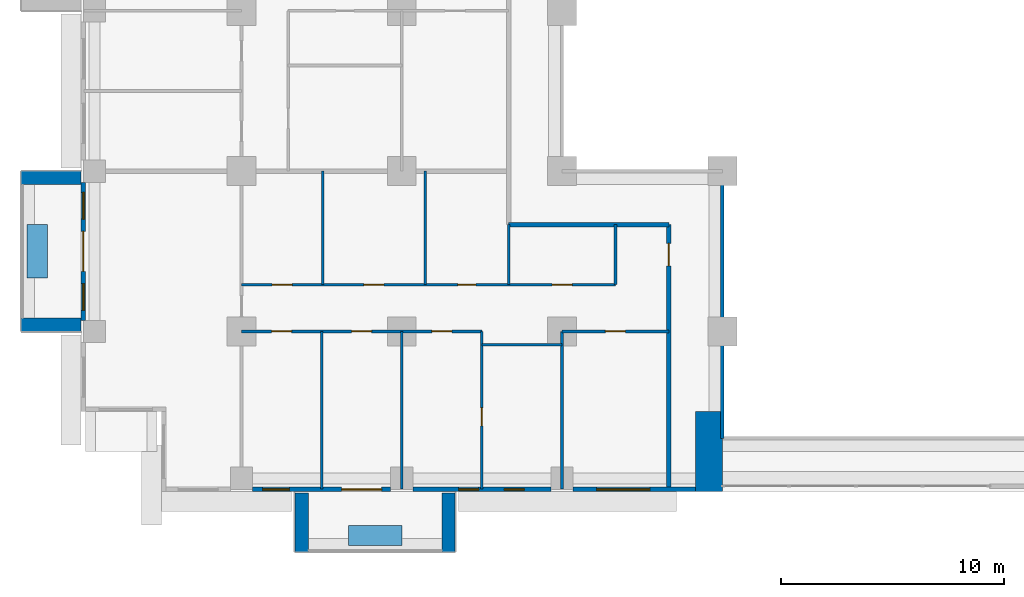
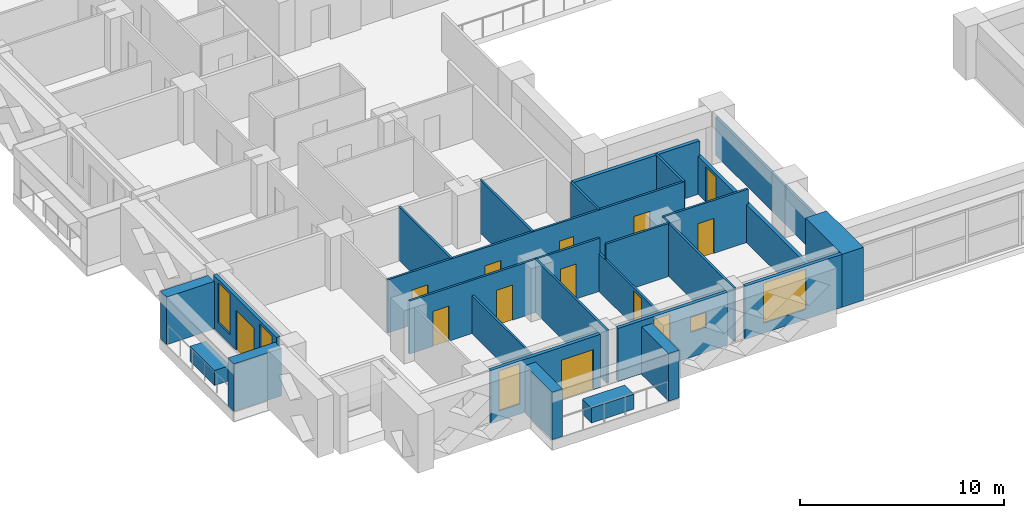
# One storey, part 6 of 16: 26 walls, 12 doors, 6 windows, 18 openings.
"""IFC4 building model written with IfcOpenShell, lengths in metres."""

from ifc_helpers import new_model, si_unit, direction, frame, frame_2d, origin, place, context, subcontext, project, spatial, rectangle, extrude, material, layer, layer_set, type_object, element, fill, save


model = new_model("IFC4")

# Units and contexts
model_context = context("Model", 3, precision=1e-05, world=origin(), true_north=direction((0.0, 1.0)))
body_context = subcontext(model_context, "Body", "Model", "MODEL_VIEW")
ifc_project = project(units=[si_unit("LENGTHUNIT", "METRE"), si_unit("AREAUNIT", "SQUARE_METRE"), si_unit("VOLUMEUNIT", "CUBIC_METRE"), si_unit("PLANEANGLEUNIT", "RADIAN"), si_unit("MASSUNIT", "GRAM", prefix="KILO")], contexts=[model_context])

# Site, building, storey
site_placement = place(None, origin())
site = spatial("IfcSite", under=ifc_project, at=site_placement, CompositionType="ELEMENT")
building_placement = place(site_placement, origin())
building = spatial("IfcBuilding", under=site, at=building_placement, Name="Saffron Iwan Residences", CompositionType="ELEMENT")
storey_placement = place(building_placement, frame((0.0, 0.0, 69.0)))
storey = spatial("IfcBuildingStorey", under=building, at=storey_placement, Name="L17", CompositionType="ELEMENT", Elevation=69.0)

# Walls
ifc_material_1 = material(Name="Fire-rated glazing", Category="glass")
ifc_layer_1 = layer(ifc_material_1, 0.14990234375)
ifc_layer_set_1 = layer_set([ifc_layer_1], Name="Fire-rated glazing")
wall_type_1 = type_object("IfcWallType", Name="Atrium glazed screen 150", PredefinedType="SOLIDWALL", material=ifc_layer_set_1)
wall_1_placement = place(storey_placement, frame((43.199951171875, 36.0, 0.0), z_axis=(0.0, 0.0, 1.0), x_axis=(0.0, 1.0, 0.0)))
element("IfcWall", 1, at=wall_1_placement, inside=storey, type_object=wall_type_1, Name="W-L17-SCREEN-v43.2-36", PredefinedType="SOLIDWALL", context=body_context, shape_type="SweptSolid", body=[
    extrude(rectangle(XDim=12.0, YDim=0.14990234375, at=frame_2d((6.0, 0.0))), origin(), (0.0, 0.0, 1.0), 2.280029296875),
])
ifc_material_2 = material(Name="Concrete C50/60 white painted", Category="concrete")
ifc_layer_2 = layer(ifc_material_2, 0.60009765625)
ifc_layer_set_2 = layer_set([ifc_layer_2], Name="Concrete C50/60 white painted")
wall_type_2 = type_object("IfcWallType", Name="BALCONY FIN 600", PredefinedType="SOLIDWALL", material=ifc_layer_set_2)
for number, where, z_axis, x_axis, name in (
    (2, (14.39990234375, 47.699951171875, 0.0), (0.0, 0.0, 1.0), (-1.0, 0.0, 0.0), "Balcony fin L17 F8-1a"),
    (3, (14.39990234375, 41.10009765625, 0.0), (0.0, 0.0, 1.0), (-1.0, 0.0, 0.0), "Balcony fin L17 F8-1b"),
):
    element("IfcWall", number, at=place(storey_placement, frame(where, z_axis=z_axis, x_axis=x_axis)), inside=storey, type_object=wall_type_2, Name=name, PredefinedType="SOLIDWALL", context=body_context, shape_type="SweptSolid", body=[
        extrude(rectangle(XDim=2.699951171875, YDim=0.60009765625, at=frame_2d((1.35009765625, 0.0))), origin(), (0.0, 0.0, 1.0), 2.85009765625),
    ])
for number, where, z_axis, x_axis, name in (
    (4, (24.300048828125, 33.550048828125, 0.0), (0.0, 0.0, 1.0), (0.0, -1.0, 0.0), "Balcony fin L17 11-0a"),
    (5, (30.89990234375, 33.550048828125, 0.0), (0.0, 0.0, 1.0), (0.0, -1.0, 0.0), "Balcony fin L17 11-0b"),
):
    element("IfcWall", number, at=place(storey_placement, frame(where, z_axis=z_axis, x_axis=x_axis)), inside=storey, type_object=wall_type_2, Name=name, PredefinedType="SOLIDWALL", context=body_context, shape_type="SweptSolid", body=[
        extrude(rectangle(XDim=2.650146484375, YDim=0.60009765625, at=frame_2d((1.3251953125, 0.0))), origin(), (0.0, 0.0, 1.0), 2.85009765625),
    ])
ifc_material_3 = material(Name="Concrete C35/45 white painted", Category="concrete")
ifc_layer_3 = layer(ifc_material_3, 0.14990234375)
ifc_layer_set_3 = layer_set([ifc_layer_3], Name="Concrete C35/45 white painted")
wall_type_3 = type_object("IfcWallType", Name="BALCONY PLANTER", PredefinedType="SOLIDWALL", material=ifc_layer_set_3)
for number, where, z_axis, x_axis, name in (
    (6, (12.425048828125, 45.60009765625, 0.0), (0.0, 0.0, 1.0), (0.0, -1.0, 0.0), "PLANTER L17 F8-1"),
    (7, (26.39990234375, 31.625, 0.0), (0.0, 0.0, 1.0), (1.0, 0.0, 0.0), "PLANTER L17 11-0"),
):
    element("IfcWall", number, at=place(storey_placement, frame(where, z_axis=z_axis, x_axis=x_axis)), inside=storey, type_object=wall_type_3, Name=name, PredefinedType="SOLIDWALL", context=body_context, shape_type="SweptSolid", body=[
        extrude(rectangle(XDim=2.400146484375, YDim=0.89990234375, at=frame_2d((1.2001953125, 0.0))), origin(), (0.0, 0.0, 1.0), 0.89990234375),
    ])

# Wall, openings, door, windows
ifc_material_4 = material(Name="Concrete C40/50", Category="concrete")
ifc_layer_4 = layer(ifc_material_4, 0.199951171875)
ifc_layer_set_4 = layer_set([ifc_layer_4], Name="Concrete C40/50")
wall_type_4 = type_object("IfcWallType", Name="EXTERNAL WALL 200", PredefinedType="SOLIDWALL", material=ifc_layer_set_4)
wall_2_placement = place(storey_placement, frame((14.5, 47.5, 0.0), z_axis=(0.0, 0.0, 1.0), x_axis=(0.0, -1.0, 0.0)))
wall_2 = element("IfcWall", 8, at=wall_2_placement, inside=storey, type_object=wall_type_4, Name="External wall L17 F8.4", PredefinedType="SOLIDWALL", context=body_context, shape_type="SweptSolid", body=[
    extrude(rectangle(XDim=6.199951171875, YDim=0.199951171875, at=frame_2d((3.10009765625, 0.0))), origin(), (0.0, 0.0, 1.0), 3.179931640625),
])
opening_1_placement = place(wall_2_placement, frame((2.199951171875, 0.0, 0.0)))
opening_1 = element("IfcOpeningElement", 9, at=opening_1_placement, cuts=wall_2, Name="Opening BD1", PredefinedType="OPENING", context=body_context, shape_type="SweptSolid", body=[
    extrude(rectangle(XDim=1.800048828125, YDim=2.39990234375, at=frame_2d((0.89990234375, 1.199951171875))), frame((0.0, 0.10986328125, 0.0), z_axis=(0.0, -1.0, 0.0), x_axis=(1.0, 0.0, 0.0)), (0.0, 0.0, 1.0), 0.219970703125),
])
opening_2_placement = place(wall_2_placement, frame((0.449951171875, 0.0, 0.60009765625)))
opening_2 = element("IfcOpeningElement", 10, at=opening_2_placement, cuts=wall_2, Name="Opening W3", PredefinedType="OPENING", context=body_context, shape_type="SweptSolid", body=[
    extrude(rectangle(XDim=1.199951171875, YDim=2.39990234375, at=frame_2d((0.60009765625, 1.199951171875))), frame((0.0, 0.10986328125, 0.0), z_axis=(0.0, -1.0, 0.0), x_axis=(1.0, 0.0, 0.0)), (0.0, 0.0, 1.0), 0.219970703125),
])
opening_3_placement = place(wall_2_placement, frame((4.550048828125, 0.0, 0.60009765625)))
opening_3 = element("IfcOpeningElement", 11, at=opening_3_placement, cuts=wall_2, Name="Opening W3", PredefinedType="OPENING", context=body_context, shape_type="SweptSolid", body=[
    extrude(rectangle(XDim=1.199951171875, YDim=2.39990234375, at=frame_2d((0.60009765625, 1.199951171875))), frame((0.0, 0.10986328125, 0.0), z_axis=(0.0, -1.0, 0.0), x_axis=(1.0, 0.0, 0.0)), (0.0, 0.0, 1.0), 0.219970703125),
])
ifc_material_5 = material(Name="Clear glass, laminated double glazed", Category="glass")
door_type_1 = type_object("IfcDoorType", Name="BALCONY DOOR 1800 x 2400", OperationType="DOUBLE_DOOR_SLIDING", PredefinedType="DOOR", material=ifc_material_5)
door_1_placement = place(opening_1_placement, origin())
door_1 = element("IfcDoor", 12, at=door_1_placement, inside=storey, type_object=door_type_1, Name="Balcony door L17 F8.0", OperationType="DOUBLE_DOOR_SLIDING", OverallHeight=2.39990234375, OverallWidth=1.800048828125, PredefinedType="DOOR", context=body_context, shape_type="SweptSolid", body=[
    extrude(rectangle(XDim=1.800048828125, YDim=2.39990234375, at=frame_2d((0.89990234375, 1.199951171875))), frame((0.0, 0.02490234375, 0.0), z_axis=(0.0, -1.0, 0.0), x_axis=(1.0, 0.0, 0.0)), (0.0, 0.0, 1.0), 0.050048828125),
])
fill(opening_1, door_1)
window_type_1 = type_object("IfcWindowType", Name="WINDOW 1200 x 2400", PartitioningType="SINGLE_PANEL", PredefinedType="WINDOW", material=ifc_material_5)
window_1_placement = place(opening_2_placement, origin())
window_1 = element("IfcWindow", 13, at=window_1_placement, inside=storey, type_object=window_type_1, Name="Window L17 F8.1", OverallHeight=2.39990234375, OverallWidth=1.199951171875, PartitioningType="SINGLE_PANEL", PredefinedType="WINDOW", context=body_context, shape_type="SweptSolid", body=[
    extrude(rectangle(XDim=1.199951171875, YDim=2.39990234375, at=frame_2d((0.60009765625, 1.199951171875))), frame((0.0, 0.030029296875, 0.0), z_axis=(0.0, -1.0, 0.0), x_axis=(1.0, 0.0, 0.0)), (0.0, 0.0, 1.0), 0.06005859375),
])
fill(opening_2, window_1)
window_2_placement = place(opening_3_placement, origin())
window_2 = element("IfcWindow", 14, at=window_2_placement, inside=storey, type_object=window_type_1, Name="Window L17 F8.2", OverallHeight=2.39990234375, OverallWidth=1.199951171875, PartitioningType="SINGLE_PANEL", PredefinedType="WINDOW", context=body_context, shape_type="SweptSolid", body=[
    extrude(rectangle(XDim=1.199951171875, YDim=2.39990234375, at=frame_2d((0.60009765625, 1.199951171875))), frame((0.0, 0.030029296875, 0.0), z_axis=(0.0, -1.0, 0.0), x_axis=(1.0, 0.0, 0.0)), (0.0, 0.0, 1.0), 0.06005859375),
])
fill(opening_3, window_2)

# Wall, openings, door, window
wall_3_placement = place(storey_placement, frame((22.10009765625, 33.699951171875, 0.0), z_axis=(0.0, 0.0, 1.0), x_axis=(1.0, 0.0, 0.0)))
wall_3 = element("IfcWall", 15, at=wall_3_placement, inside=storey, type_object=wall_type_4, Name="External wall L17 F11.1", PredefinedType="SOLIDWALL", context=body_context, shape_type="SweptSolid", body=[
    extrude(rectangle(XDim=6.199951171875, YDim=0.199951171875, at=frame_2d((3.10009765625, 0.0))), origin(), (0.0, 0.0, 1.0), 3.179931640625),
])
opening_4_placement = place(wall_3_placement, frame((4.0, 0.0, 0.0)))
opening_4 = element("IfcOpeningElement", 16, at=opening_4_placement, cuts=wall_3, Name="Opening BD1", PredefinedType="OPENING", context=body_context, shape_type="SweptSolid", body=[
    extrude(rectangle(XDim=1.800048828125, YDim=2.39990234375, at=frame_2d((0.89990234375, 1.199951171875))), frame((0.0, 0.10986328125, 0.0), z_axis=(0.0, -1.0, 0.0), x_axis=(1.0, 0.0, 0.0)), (0.0, 0.0, 1.0), 0.219970703125),
])
opening_5_placement = place(wall_3_placement, frame((0.449951171875, 0.0, 0.60009765625)))
opening_5 = element("IfcOpeningElement", 17, at=opening_5_placement, cuts=wall_3, Name="Opening W3", PredefinedType="OPENING", context=body_context, shape_type="SweptSolid", body=[
    extrude(rectangle(XDim=1.199951171875, YDim=2.39990234375, at=frame_2d((0.60009765625, 1.199951171875))), frame((0.0, 0.10986328125, 0.0), z_axis=(0.0, -1.0, 0.0), x_axis=(1.0, 0.0, 0.0)), (0.0, 0.0, 1.0), 0.219970703125),
])
door_2_placement = place(opening_4_placement, origin())
door_2 = element("IfcDoor", 18, at=door_2_placement, inside=storey, type_object=door_type_1, Name="Balcony door L17 F11.0", OperationType="DOUBLE_DOOR_SLIDING", OverallHeight=2.39990234375, OverallWidth=1.800048828125, PredefinedType="DOOR", context=body_context, shape_type="SweptSolid", body=[
    extrude(rectangle(XDim=1.800048828125, YDim=2.39990234375, at=frame_2d((0.89990234375, 1.199951171875))), frame((0.0, 0.02490234375, 0.0), z_axis=(0.0, -1.0, 0.0), x_axis=(1.0, 0.0, 0.0)), (0.0, 0.0, 1.0), 0.050048828125),
])
fill(opening_4, door_2)
window_3_placement = place(opening_5_placement, origin())
window_3 = element("IfcWindow", 19, at=window_3_placement, inside=storey, type_object=window_type_1, Name="Window L17 F11.1", OverallHeight=2.39990234375, OverallWidth=1.199951171875, PartitioningType="SINGLE_PANEL", PredefinedType="WINDOW", context=body_context, shape_type="SweptSolid", body=[
    extrude(rectangle(XDim=1.199951171875, YDim=2.39990234375, at=frame_2d((0.60009765625, 1.199951171875))), frame((0.0, 0.030029296875, 0.0), z_axis=(0.0, -1.0, 0.0), x_axis=(1.0, 0.0, 0.0)), (0.0, 0.0, 1.0), 0.06005859375),
])
fill(opening_5, window_3)

# Wall, openings, windows
wall_4_placement = place(storey_placement, frame((29.300048828125, 33.699951171875, 0.0), z_axis=(0.0, 0.0, 1.0), x_axis=(1.0, 0.0, 0.0)))
wall_4 = element("IfcWall", 20, at=wall_4_placement, inside=storey, type_object=wall_type_4, Name="External wall L17 F11.2", PredefinedType="SOLIDWALL", context=body_context, shape_type="SweptSolid", body=[
    extrude(rectangle(XDim=6.199951171875, YDim=0.199951171875, at=frame_2d((3.10009765625, 0.0))), origin(), (0.0, 0.0, 1.0), 3.179931640625),
])
opening_6_placement = place(wall_4_placement, frame((2.050048828125, 0.0, 0.60009765625)))
opening_6 = element("IfcOpeningElement", 21, at=opening_6_placement, cuts=wall_4, Name="Opening W10", PredefinedType="OPENING", context=body_context, shape_type="SweptSolid", body=[
    extrude(rectangle(XDim=0.89990234375, YDim=2.39990234375, at=frame_2d((0.449951171875, 1.199951171875))), frame((0.0, 0.10986328125, 0.0), z_axis=(0.0, -1.0, 0.0), x_axis=(1.0, 0.0, 0.0)), (0.0, 0.0, 1.0), 0.219970703125),
])
opening_7_placement = place(wall_4_placement, frame((4.10009765625, 0.0, 1.5)))
opening_7 = element("IfcOpeningElement", 22, at=opening_7_placement, cuts=wall_4, Name="Opening W6", PredefinedType="OPENING", context=body_context, shape_type="SweptSolid", body=[
    extrude(rectangle(XDim=0.89990234375, YDim=0.89990234375, at=frame_2d((0.449951171875, 0.449951171875))), frame((0.0, 0.10986328125, 0.0), z_axis=(0.0, -1.0, 0.0), x_axis=(1.0, 0.0, 0.0)), (0.0, 0.0, 1.0), 0.219970703125),
])
window_type_2 = type_object("IfcWindowType", Name="WINDOW 900 x 2400", PartitioningType="SINGLE_PANEL", PredefinedType="WINDOW", material=ifc_material_5)
window_4_placement = place(opening_6_placement, origin())
window_4 = element("IfcWindow", 23, at=window_4_placement, inside=storey, type_object=window_type_2, Name="Window L17 F11.0", OverallHeight=2.39990234375, OverallWidth=0.89990234375, PartitioningType="SINGLE_PANEL", PredefinedType="WINDOW", context=body_context, shape_type="SweptSolid", body=[
    extrude(rectangle(XDim=0.89990234375, YDim=2.39990234375, at=frame_2d((0.449951171875, 1.199951171875))), frame((0.0, 0.030029296875, 0.0), z_axis=(0.0, -1.0, 0.0), x_axis=(1.0, 0.0, 0.0)), (0.0, 0.0, 1.0), 0.06005859375),
])
fill(opening_6, window_4)
window_type_3 = type_object("IfcWindowType", Name="WINDOW 900 x 900 BATH", PartitioningType="SINGLE_PANEL", PredefinedType="WINDOW", material=ifc_material_5)
window_5_placement = place(opening_7_placement, origin())
window_5 = element("IfcWindow", 24, at=window_5_placement, inside=storey, type_object=window_type_3, Name="Window L17 F11.1", OverallHeight=0.89990234375, OverallWidth=0.89990234375, PartitioningType="SINGLE_PANEL", PredefinedType="WINDOW", context=body_context, shape_type="SweptSolid", body=[
    extrude(rectangle(XDim=0.89990234375, YDim=0.89990234375, at=frame_2d((0.449951171875, 0.449951171875))), frame((0.0, 0.030029296875, 0.0), z_axis=(0.0, -1.0, 0.0), x_axis=(1.0, 0.0, 0.0)), (0.0, 0.0, 1.0), 0.06005859375),
])
fill(opening_7, window_5)

# Wall, opening, window
wall_5_placement = place(storey_placement, frame((36.5, 33.699951171875, 0.0), z_axis=(0.0, 0.0, 1.0), x_axis=(1.0, 0.0, 0.0)))
wall_5 = element("IfcWall", 25, at=wall_5_placement, inside=storey, type_object=wall_type_4, Name="External wall L17 F11.3", PredefinedType="SOLIDWALL", context=body_context, shape_type="SweptSolid", body=[
    extrude(rectangle(XDim=5.5, YDim=0.199951171875, at=frame_2d((2.75, 0.0))), origin(), (0.0, 0.0, 1.0), 3.179931640625),
])
opening_8_placement = place(wall_5_placement, frame((1.050048828125, 0.0, 0.60009765625)))
opening_8 = element("IfcOpeningElement", 26, at=opening_8_placement, cuts=wall_5, Name="Opening W1", PredefinedType="OPENING", context=body_context, shape_type="SweptSolid", body=[
    extrude(rectangle(XDim=2.39990234375, YDim=2.39990234375, at=frame_2d((1.199951171875, 1.199951171875))), frame((0.0, 0.10986328125, 0.0), z_axis=(0.0, -1.0, 0.0), x_axis=(1.0, 0.0, 0.0)), (0.0, 0.0, 1.0), 0.219970703125),
])
window_type_4 = type_object("IfcWindowType", Name="WINDOW 2400 x 2400", PartitioningType="DOUBLE_PANEL_VERTICAL", PredefinedType="WINDOW", material=ifc_material_5)
window_6_placement = place(opening_8_placement, origin())
window_6 = element("IfcWindow", 27, at=window_6_placement, inside=storey, type_object=window_type_4, Name="Window L17 F11.0", OverallHeight=2.39990234375, OverallWidth=2.39990234375, PartitioningType="DOUBLE_PANEL_VERTICAL", PredefinedType="WINDOW", context=body_context, shape_type="SweptSolid", body=[
    extrude(rectangle(XDim=2.39990234375, YDim=2.39990234375, at=frame_2d((1.199951171875, 1.199951171875))), frame((0.0, 0.030029296875, 0.0), z_axis=(0.0, -1.0, 0.0), x_axis=(1.0, 0.0, 0.0)), (0.0, 0.0, 1.0), 0.06005859375),
])
fill(opening_8, window_6)

# Wall
ifc_material_6 = material(Name="Gypsum board partition")
ifc_layer_5 = layer(ifc_material_6, 0.1201171875)
ifc_layer_set_5 = layer_set([ifc_layer_5], Name="Gypsum board partition")
wall_type_5 = type_object("IfcWallType", Name="Flat partition 120", PredefinedType="PARTITIONING", material=ifc_layer_set_5)
wall_6_placement = place(storey_placement, frame((32.39990234375, 40.199951171875, 0.0), z_axis=(0.0, 0.0, 1.0), x_axis=(1.0, 0.0, 0.0)))
element("IfcWall", 28, at=wall_6_placement, inside=storey, type_object=wall_type_5, Name="W-L17-PART-h40.2-32.4", PredefinedType="PARTITIONING", context=body_context, shape_type="SweptSolid", body=[
    extrude(rectangle(XDim=3.60009765625, YDim=0.1201171875, at=frame_2d((1.800048828125, 0.0))), origin(), (0.0, 0.0, 1.0), 3.179931640625),
])

# Wall, openings, doors
wall_7_placement = place(storey_placement, frame((21.60009765625, 40.800048828125, 0.0), z_axis=(0.0, 0.0, 1.0), x_axis=(1.0, 0.0, 0.0)))
wall_7 = element("IfcWall", 29, at=wall_7_placement, inside=storey, type_object=wall_type_5, Name="W-L17-PART-h40.8-21.6", PredefinedType="PARTITIONING", context=body_context, shape_type="SweptSolid", body=[
    extrude(rectangle(XDim=10.7998046875, YDim=0.1201171875, at=frame_2d((5.39990234375, 0.0))), origin(), (0.0, 0.0, 1.0), 3.179931640625),
])
opening_9_placement = place(wall_7_placement, frame((1.35009765625, 0.0, 0.0)))
opening_9 = element("IfcOpeningElement", 30, at=opening_9_placement, cuts=wall_7, Name="Opening FD2", PredefinedType="OPENING", context=body_context, shape_type="SweptSolid", body=[
    extrude(rectangle(XDim=0.89990234375, YDim=2.10009765625, at=frame_2d((0.449951171875, 1.050048828125))), frame((0.0, 0.070068359375, 0.0), z_axis=(0.0, -1.0, 0.0), x_axis=(1.0, 0.0, 0.0)), (0.0, 0.0, 1.0), 0.14013671875),
])
opening_10_placement = place(wall_7_placement, frame((4.949951171875, 0.0, 0.0)))
opening_10 = element("IfcOpeningElement", 31, at=opening_10_placement, cuts=wall_7, Name="Opening FD2", PredefinedType="OPENING", context=body_context, shape_type="SweptSolid", body=[
    extrude(rectangle(XDim=0.89990234375, YDim=2.10009765625, at=frame_2d((0.449951171875, 1.050048828125))), frame((0.0, 0.070068359375, 0.0), z_axis=(0.0, -1.0, 0.0), x_axis=(1.0, 0.0, 0.0)), (0.0, 0.0, 1.0), 0.14013671875),
])
opening_11_placement = place(wall_7_placement, frame((8.550048828125, 0.0, 0.0)))
opening_11 = element("IfcOpeningElement", 32, at=opening_11_placement, cuts=wall_7, Name="Opening FD2", PredefinedType="OPENING", context=body_context, shape_type="SweptSolid", body=[
    extrude(rectangle(XDim=0.89990234375, YDim=2.10009765625, at=frame_2d((0.449951171875, 1.050048828125))), frame((0.0, 0.070068359375, 0.0), z_axis=(0.0, -1.0, 0.0), x_axis=(1.0, 0.0, 0.0)), (0.0, 0.0, 1.0), 0.14013671875),
])
ifc_material_7 = material(Name="Timber door", Category="wood")
door_type_2 = type_object("IfcDoorType", Name="Flat door 900", OperationType="NOTDEFINED", PredefinedType="DOOR", material=ifc_material_7)
door_3_placement = place(opening_9_placement, origin())
door_3 = element("IfcDoor", 33, at=door_3_placement, inside=storey, type_object=door_type_2, Name="Door L17-003", OperationType="SINGLE_SWING_LEFT", OverallHeight=2.10009765625, OverallWidth=0.89990234375, PredefinedType="DOOR", context=body_context, shape_type="SweptSolid", body=[
    extrude(rectangle(XDim=0.89990234375, YDim=2.10009765625, at=frame_2d((0.449951171875, 1.050048828125))), frame((0.0, 0.02490234375, 0.0), z_axis=(0.0, -1.0, 0.0), x_axis=(1.0, 0.0, 0.0)), (0.0, 0.0, 1.0), 0.050048828125),
])
fill(opening_9, door_3)
door_4_placement = place(opening_10_placement, origin())
door_4 = element("IfcDoor", 34, at=door_4_placement, inside=storey, type_object=door_type_2, Name="Door L17-004", OperationType="SINGLE_SWING_LEFT", OverallHeight=2.10009765625, OverallWidth=0.89990234375, PredefinedType="DOOR", context=body_context, shape_type="SweptSolid", body=[
    extrude(rectangle(XDim=0.89990234375, YDim=2.10009765625, at=frame_2d((0.449951171875, 1.050048828125))), frame((0.0, 0.02490234375, 0.0), z_axis=(0.0, -1.0, 0.0), x_axis=(1.0, 0.0, 0.0)), (0.0, 0.0, 1.0), 0.050048828125),
])
fill(opening_10, door_4)
door_5_placement = place(opening_11_placement, origin())
door_5 = element("IfcDoor", 35, at=door_5_placement, inside=storey, type_object=door_type_2, Name="Door L17-005", OperationType="SINGLE_SWING_RIGHT", OverallHeight=2.10009765625, OverallWidth=0.89990234375, PredefinedType="DOOR", context=body_context, shape_type="SweptSolid", body=[
    extrude(rectangle(XDim=0.89990234375, YDim=2.10009765625, at=frame_2d((0.449951171875, 1.050048828125))), frame((0.0, 0.02490234375, 0.0), z_axis=(0.0, -1.0, 0.0), x_axis=(1.0, 0.0, 0.0)), (0.0, 0.0, 1.0), 0.050048828125),
])
fill(opening_11, door_5)

# Wall, opening, door
wall_8_placement = place(storey_placement, frame((36.0, 40.800048828125, 0.0), z_axis=(0.0, 0.0, 1.0), x_axis=(1.0, 0.0, 0.0)))
wall_8 = element("IfcWall", 36, at=wall_8_placement, inside=storey, type_object=wall_type_5, Name="W-L17-PART-h40.8-36", PredefinedType="PARTITIONING", context=body_context, shape_type="SweptSolid", body=[
    extrude(rectangle(XDim=4.800048828125, YDim=0.1201171875, at=frame_2d((2.39990234375, 0.0))), origin(), (0.0, 0.0, 1.0), 3.179931640625),
])
opening_12_placement = place(wall_8_placement, frame((1.949951171875, 0.0, 0.0)))
opening_12 = element("IfcOpeningElement", 37, at=opening_12_placement, cuts=wall_8, Name="Opening FD2", PredefinedType="OPENING", context=body_context, shape_type="SweptSolid", body=[
    extrude(rectangle(XDim=0.89990234375, YDim=2.10009765625, at=frame_2d((0.449951171875, 1.050048828125))), frame((0.0, 0.070068359375, 0.0), z_axis=(0.0, -1.0, 0.0), x_axis=(1.0, 0.0, 0.0)), (0.0, 0.0, 1.0), 0.14013671875),
])
door_6_placement = place(opening_12_placement, origin())
door_6 = element("IfcDoor", 38, at=door_6_placement, inside=storey, type_object=door_type_2, Name="Door L17-007", OperationType="SINGLE_SWING_LEFT", OverallHeight=2.10009765625, OverallWidth=0.89990234375, PredefinedType="DOOR", context=body_context, shape_type="SweptSolid", body=[
    extrude(rectangle(XDim=0.89990234375, YDim=2.10009765625, at=frame_2d((0.449951171875, 1.050048828125))), frame((0.0, 0.02490234375, 0.0), z_axis=(0.0, -1.0, 0.0), x_axis=(1.0, 0.0, 0.0)), (0.0, 0.0, 1.0), 0.050048828125),
])
fill(opening_12, door_6)

# Wall, openings, doors
wall_9_placement = place(storey_placement, frame((21.60009765625, 42.89990234375, 0.0), z_axis=(0.0, 0.0, 1.0), x_axis=(1.0, 0.0, 0.0)))
wall_9 = element("IfcWall", 39, at=wall_9_placement, inside=storey, type_object=wall_type_5, Name="W-L17-PART-h42.9-21.6", PredefinedType="PARTITIONING", context=body_context, shape_type="SweptSolid", body=[
    extrude(rectangle(XDim=16.7998046875, YDim=0.1201171875, at=frame_2d((8.39990234375, 0.0))), origin(), (0.0, 0.0, 1.0), 3.179931640625),
])
opening_13_placement = place(wall_9_placement, frame((1.375, 0.0, 0.0)))
opening_13 = element("IfcOpeningElement", 40, at=opening_13_placement, cuts=wall_9, Name="Opening FD2", PredefinedType="OPENING", context=body_context, shape_type="SweptSolid", body=[
    extrude(rectangle(XDim=0.89990234375, YDim=2.10009765625, at=frame_2d((0.449951171875, 1.050048828125))), frame((0.0, 0.070068359375, 0.0), z_axis=(0.0, -1.0, 0.0), x_axis=(1.0, 0.0, 0.0)), (0.0, 0.0, 1.0), 0.14013671875),
])
opening_14_placement = place(wall_9_placement, frame((5.5, 0.0, 0.0)))
opening_14 = element("IfcOpeningElement", 41, at=opening_14_placement, cuts=wall_9, Name="Opening FD2", PredefinedType="OPENING", context=body_context, shape_type="SweptSolid", body=[
    extrude(rectangle(XDim=0.89990234375, YDim=2.10009765625, at=frame_2d((0.449951171875, 1.050048828125))), frame((0.0, 0.070068359375, 0.0), z_axis=(0.0, -1.0, 0.0), x_axis=(1.0, 0.0, 0.0)), (0.0, 0.0, 1.0), 0.14013671875),
])
opening_15_placement = place(wall_9_placement, frame((9.72509765625, 0.0, 0.0)))
opening_15 = element("IfcOpeningElement", 42, at=opening_15_placement, cuts=wall_9, Name="Opening FD3", PredefinedType="OPENING", context=body_context, shape_type="SweptSolid", body=[
    extrude(rectangle(XDim=0.800048828125, YDim=2.10009765625, at=frame_2d((0.39990234375, 1.050048828125))), frame((0.0, 0.070068359375, 0.0), z_axis=(0.0, -1.0, 0.0), x_axis=(1.0, 0.0, 0.0)), (0.0, 0.0, 1.0), 0.14013671875),
])
opening_16_placement = place(wall_9_placement, frame((13.949951171875, 0.0, 0.0)))
opening_16 = element("IfcOpeningElement", 43, at=opening_16_placement, cuts=wall_9, Name="Opening FD2", PredefinedType="OPENING", context=body_context, shape_type="SweptSolid", body=[
    extrude(rectangle(XDim=0.89990234375, YDim=2.10009765625, at=frame_2d((0.449951171875, 1.050048828125))), frame((0.0, 0.070068359375, 0.0), z_axis=(0.0, -1.0, 0.0), x_axis=(1.0, 0.0, 0.0)), (0.0, 0.0, 1.0), 0.14013671875),
])
door_type_3 = type_object("IfcDoorType", Name="Bathroom door 800", OperationType="NOTDEFINED", PredefinedType="DOOR", material=ifc_material_7)
door_7_placement = place(opening_15_placement, origin())
door_7 = element("IfcDoor", 44, at=door_7_placement, inside=storey, type_object=door_type_3, Name="Door L17-010", OperationType="SINGLE_SWING_LEFT", OverallHeight=2.10009765625, OverallWidth=0.800048828125, PredefinedType="DOOR", context=body_context, shape_type="SweptSolid", body=[
    extrude(rectangle(XDim=0.800048828125, YDim=2.10009765625, at=frame_2d((0.39990234375, 1.050048828125))), frame((0.0, 0.02490234375, 0.0), z_axis=(0.0, -1.0, 0.0), x_axis=(1.0, 0.0, 0.0)), (0.0, 0.0, 1.0), 0.050048828125),
])
fill(opening_15, door_7)
door_8_placement = place(opening_13_placement, origin())
door_8 = element("IfcDoor", 45, at=door_8_placement, inside=storey, type_object=door_type_2, Name="Door L17-008", OperationType="SINGLE_SWING_RIGHT", OverallHeight=2.10009765625, OverallWidth=0.89990234375, PredefinedType="DOOR", context=body_context, shape_type="SweptSolid", body=[
    extrude(rectangle(XDim=0.89990234375, YDim=2.10009765625, at=frame_2d((0.449951171875, 1.050048828125))), frame((0.0, 0.02490234375, 0.0), z_axis=(0.0, -1.0, 0.0), x_axis=(1.0, 0.0, 0.0)), (0.0, 0.0, 1.0), 0.050048828125),
])
fill(opening_13, door_8)
door_9_placement = place(opening_14_placement, origin())
door_9 = element("IfcDoor", 46, at=door_9_placement, inside=storey, type_object=door_type_2, Name="Door L17-009", OperationType="SINGLE_SWING_LEFT", OverallHeight=2.10009765625, OverallWidth=0.89990234375, PredefinedType="DOOR", context=body_context, shape_type="SweptSolid", body=[
    extrude(rectangle(XDim=0.89990234375, YDim=2.10009765625, at=frame_2d((0.449951171875, 1.050048828125))), frame((0.0, 0.02490234375, 0.0), z_axis=(0.0, -1.0, 0.0), x_axis=(1.0, 0.0, 0.0)), (0.0, 0.0, 1.0), 0.050048828125),
])
fill(opening_14, door_9)
door_10_placement = place(opening_16_placement, origin())
door_10 = element("IfcDoor", 47, at=door_10_placement, inside=storey, type_object=door_type_2, Name="Door L17-011", OperationType="SINGLE_SWING_RIGHT", OverallHeight=2.10009765625, OverallWidth=0.89990234375, PredefinedType="DOOR", context=body_context, shape_type="SweptSolid", body=[
    extrude(rectangle(XDim=0.89990234375, YDim=2.10009765625, at=frame_2d((0.449951171875, 1.050048828125))), frame((0.0, 0.02490234375, 0.0), z_axis=(0.0, -1.0, 0.0), x_axis=(1.0, 0.0, 0.0)), (0.0, 0.0, 1.0), 0.050048828125),
])
fill(opening_16, door_10)

# Walls
wall_10_placement = place(storey_placement, frame((25.199951171875, 33.72509765625, 0.0), z_axis=(0.0, 0.0, 1.0), x_axis=(0.0, 1.0, 0.0)))
element("IfcWall", 48, at=wall_10_placement, inside=storey, type_object=wall_type_5, Name="W-L17-PART-v25.2-33.725", PredefinedType="PARTITIONING", context=body_context, shape_type="SweptSolid", body=[
    extrude(rectangle(XDim=7.074951171875, YDim=0.1201171875, at=frame_2d((3.53759765625, 0.0))), origin(), (0.0, 0.0, 1.0), 2.280029296875),
])
wall_11_placement = place(storey_placement, frame((25.25, 42.89990234375, 0.0), z_axis=(0.0, 0.0, 1.0), x_axis=(0.0, 1.0, 0.0)))
element("IfcWall", 49, at=wall_11_placement, inside=storey, type_object=wall_type_5, Name="W-L17-PART-v25.25-42.9", PredefinedType="PARTITIONING", context=body_context, shape_type="SweptSolid", body=[
    extrude(rectangle(XDim=5.10009765625, YDim=0.1201171875, at=frame_2d((2.550048828125, 0.0))), origin(), (0.0, 0.0, 1.0), 3.179931640625),
])
wall_12_placement = place(storey_placement, frame((28.800048828125, 33.72509765625, 0.0), z_axis=(0.0, 0.0, 1.0), x_axis=(0.0, 1.0, 0.0)))
element("IfcWall", 50, at=wall_12_placement, inside=storey, type_object=wall_type_5, Name="W-L17-PART-v28.8-33.725", PredefinedType="PARTITIONING", context=body_context, shape_type="SweptSolid", body=[
    extrude(rectangle(XDim=7.074951171875, YDim=0.1201171875, at=frame_2d((3.53759765625, 0.0))), origin(), (0.0, 0.0, 1.0), 3.179931640625),
])
wall_13_placement = place(storey_placement, frame((29.85009765625, 42.89990234375, 0.0), z_axis=(0.0, 0.0, 1.0), x_axis=(0.0, 1.0, 0.0)))
element("IfcWall", 51, at=wall_13_placement, inside=storey, type_object=wall_type_5, Name="W-L17-PART-v29.85-42.9", PredefinedType="PARTITIONING", context=body_context, shape_type="SweptSolid", body=[
    extrude(rectangle(XDim=5.10009765625, YDim=0.1201171875, at=frame_2d((2.550048828125, 0.0))), origin(), (0.0, 0.0, 1.0), 3.179931640625),
])

# Wall, opening, door
wall_14_placement = place(storey_placement, frame((32.39990234375, 33.72509765625, 0.0), z_axis=(0.0, 0.0, 1.0), x_axis=(0.0, 1.0, 0.0)))
wall_14 = element("IfcWall", 52, at=wall_14_placement, inside=storey, type_object=wall_type_5, Name="W-L17-PART-v32.4-33.725", PredefinedType="PARTITIONING", context=body_context, shape_type="SweptSolid", body=[
    extrude(rectangle(XDim=7.074951171875, YDim=0.1201171875, at=frame_2d((3.53759765625, 0.0))), origin(), (0.0, 0.0, 1.0), 2.280029296875),
])
opening_17_placement = place(wall_14_placement, frame((2.83740234375, 0.0, 0.0)))
opening_17 = element("IfcOpeningElement", 53, at=opening_17_placement, cuts=wall_14, Name="Opening FD3", PredefinedType="OPENING", context=body_context, shape_type="SweptSolid", body=[
    extrude(rectangle(XDim=0.800048828125, YDim=2.10009765625, at=frame_2d((0.39990234375, 1.050048828125))), frame((0.0, 0.070068359375, 0.0), z_axis=(0.0, -1.0, 0.0), x_axis=(1.0, 0.0, 0.0)), (0.0, 0.0, 1.0), 0.14013671875),
])
door_11_placement = place(opening_17_placement, origin())
door_11 = element("IfcDoor", 54, at=door_11_placement, inside=storey, type_object=door_type_3, Name="Door L17-006", OperationType="SINGLE_SWING_LEFT", OverallHeight=2.10009765625, OverallWidth=0.800048828125, PredefinedType="DOOR", context=body_context, shape_type="SweptSolid", body=[
    extrude(rectangle(XDim=0.800048828125, YDim=2.10009765625, at=frame_2d((0.39990234375, 1.050048828125))), frame((0.0, 0.02490234375, 0.0), z_axis=(0.0, -1.0, 0.0), x_axis=(1.0, 0.0, 0.0)), (0.0, 0.0, 1.0), 0.050048828125),
])
fill(opening_17, door_11)

# Walls
wall_15_placement = place(storey_placement, frame((33.60009765625, 42.89990234375, 0.0), z_axis=(0.0, 0.0, 1.0), x_axis=(0.0, 1.0, 0.0)))
element("IfcWall", 55, at=wall_15_placement, inside=storey, type_object=wall_type_5, Name="W-L17-PART-v33.6-42.9", PredefinedType="PARTITIONING", context=body_context, shape_type="SweptSolid", body=[
    extrude(rectangle(XDim=2.7001953125, YDim=0.1201171875, at=frame_2d((1.35009765625, 0.0))), origin(), (0.0, 0.0, 1.0), 3.179931640625),
])
wall_16_placement = place(storey_placement, frame((36.0, 33.72509765625, 0.0), z_axis=(0.0, 0.0, 1.0), x_axis=(0.0, 1.0, 0.0)))
element("IfcWall", 56, at=wall_16_placement, inside=storey, type_object=wall_type_5, Name="W-L17-PART-v36-33.725", PredefinedType="PARTITIONING", context=body_context, shape_type="SweptSolid", body=[
    extrude(rectangle(XDim=7.074951171875, YDim=0.1201171875, at=frame_2d((3.53759765625, 0.0))), origin(), (0.0, 0.0, 1.0), 3.179931640625),
])
wall_17_placement = place(storey_placement, frame((38.39990234375, 42.89990234375, 0.0), z_axis=(0.0, 0.0, 1.0), x_axis=(0.0, 1.0, 0.0)))
element("IfcWall", 57, at=wall_17_placement, inside=storey, type_object=wall_type_5, Name="W-L17-PART-v38.4-42.9", PredefinedType="PARTITIONING", context=body_context, shape_type="SweptSolid", body=[
    extrude(rectangle(XDim=2.7001953125, YDim=0.1201171875, at=frame_2d((1.35009765625, 0.0))), origin(), (0.0, 0.0, 1.0), 3.179931640625),
])
ifc_material_8 = material(Name="Fire-rated gypsum board wall")
ifc_layer_6 = layer(ifc_material_8, 0.199951171875)
ifc_layer_set_6 = layer_set([ifc_layer_6], Name="Fire-rated gypsum board wall")
wall_type_6 = type_object("IfcWallType", Name="Gallery wall 200", PredefinedType="SOLIDWALL", material=ifc_layer_set_6)
wall_18_placement = place(storey_placement, frame((33.60009765625, 45.60009765625, 0.0), z_axis=(0.0, 0.0, 1.0), x_axis=(1.0, 0.0, 0.0)))
element("IfcWall", 58, at=wall_18_placement, inside=storey, type_object=wall_type_6, Name="W-L17-CORR-h45.6-33.6", PredefinedType="SOLIDWALL", context=body_context, shape_type="SweptSolid", body=[
    extrude(rectangle(XDim=7.199951171875, YDim=0.199951171875, at=frame_2d((3.60009765625, 0.0))), origin(), (0.0, 0.0, 1.0), 3.179931640625),
])

# Wall, opening, door
wall_19_placement = place(storey_placement, frame((40.800048828125, 33.72509765625, 0.0), z_axis=(0.0, 0.0, 1.0), x_axis=(0.0, 1.0, 0.0)))
wall_19 = element("IfcWall", 59, at=wall_19_placement, inside=storey, type_object=wall_type_6, Name="W-L17-CORR-v40.8-33.725", PredefinedType="SOLIDWALL", context=body_context, shape_type="SweptSolid", body=[
    extrude(rectangle(XDim=11.875, YDim=0.199951171875, at=frame_2d((5.9375, 0.0))), origin(), (0.0, 0.0, 1.0), 2.280029296875),
])
opening_18_placement = place(wall_19_placement, frame((10.02490234375, 0.0, 0.0)))
opening_18 = element("IfcOpeningElement", 60, at=opening_18_placement, cuts=wall_19, Name="Opening FD1", PredefinedType="OPENING", context=body_context, shape_type="SweptSolid", body=[
    extrude(rectangle(XDim=1.0, YDim=2.10009765625, at=frame_2d((0.5, 1.050048828125))), frame((0.0, 0.10986328125, 0.0), z_axis=(0.0, -1.0, 0.0), x_axis=(1.0, 0.0, 0.0)), (0.0, 0.0, 1.0), 0.219970703125),
])
ifc_material_9 = material(Name="Fire-rated timber door", Category="wood")
door_type_4 = type_object("IfcDoorType", Name="FD30S flat entrance door 1000", OperationType="NOTDEFINED", PredefinedType="DOOR", material=ifc_material_9)
door_12_placement = place(opening_18_placement, origin())
door_12 = element("IfcDoor", 61, at=door_12_placement, inside=storey, type_object=door_type_4, Name="Door L17-001", OperationType="SINGLE_SWING_LEFT", OverallHeight=2.10009765625, OverallWidth=1.0, PredefinedType="DOOR", context=body_context, shape_type="SweptSolid", body=[
    extrude(rectangle(XDim=1.0, YDim=2.10009765625, at=frame_2d((0.5, 1.050048828125))), frame((0.0, 0.02490234375, 0.0), z_axis=(0.0, -1.0, 0.0), x_axis=(1.0, 0.0, 0.0)), (0.0, 0.0, 1.0), 0.050048828125),
])
fill(opening_18, door_12)

# Wall
ifc_material_10 = material(Name="Concrete C60/75", Category="concrete")
ifc_layer_7 = layer(ifc_material_10, 1.199951171875)
ifc_layer_set_7 = layer_set([ifc_layer_7], Name="Concrete C60/75")
wall_type_7 = type_object("IfcWallType", Name="WALL IWAN PIER 1200 C60/75 3180 HIGH", PredefinedType="SHEAR", material=ifc_layer_set_7)
wall_20_placement = place(storey_placement, frame((42.60009765625, 33.60009765625, 0.0), z_axis=(0.0, 0.0, 1.0), x_axis=(0.0, 1.0, 0.0)))
element("IfcWall", 62, at=wall_20_placement, inside=storey, type_object=wall_type_7, Name="IWAN PIER", PredefinedType="SHEAR", context=body_context, shape_type="SweptSolid", body=[
    extrude(rectangle(XDim=3.599853515625, YDim=1.199951171875, at=frame_2d((1.7998046875, 0.0))), origin(), (0.0, 0.0, 1.0), 3.179931640625),
])

save(model, "model.ifc")
